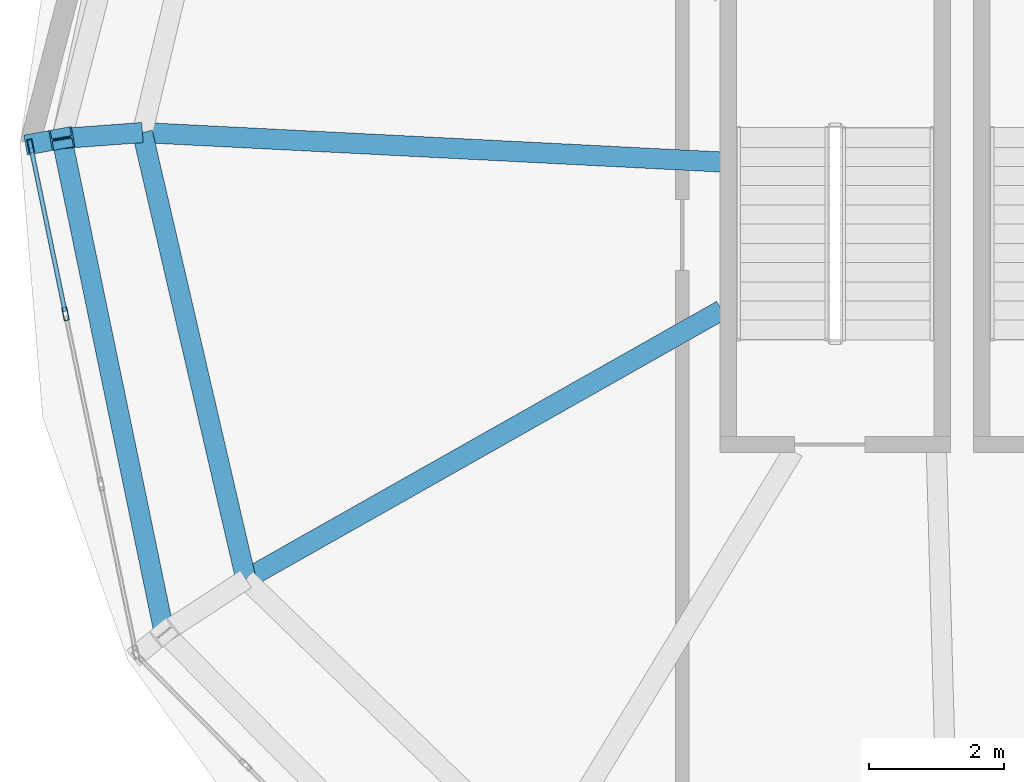
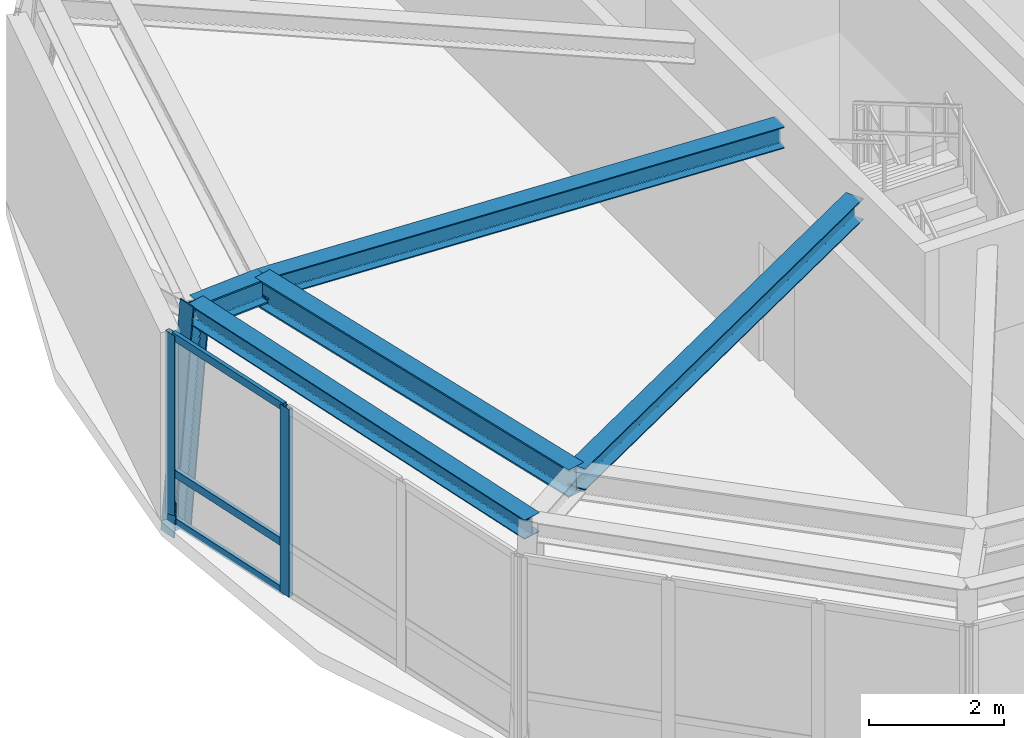
# One storey, part 3 of 11: 6 members, 5 beams, 1 element without a shape of its own.
"""IFC4 building model written with IfcOpenShell, lengths in metres."""

from ifc_helpers import new_model, si_unit, direction, frame, origin, origin_2d, place, context, subcontext, project, spatial, hollow_rectangle, i_section, extrude, material, layer, layer_set, material_profile, profile_set, type_object, element, aggregate, save


model = new_model("IFC4")

# Units and contexts
model_context = context("Model", 3, precision=1e-05, world=origin(), true_north=direction((0.0, 1.0)))
body_context = subcontext(model_context, "Body", "Model", "MODEL_VIEW")
ifc_project = project(units=[si_unit("LENGTHUNIT", "METRE"), si_unit("AREAUNIT", "SQUARE_METRE"), si_unit("VOLUMEUNIT", "CUBIC_METRE"), si_unit("PLANEANGLEUNIT", "RADIAN"), si_unit("MASSUNIT", "GRAM", prefix="KILO"), si_unit("THERMODYNAMICTEMPERATUREUNIT", "KELVIN"), si_unit("POWERUNIT", "WATT")], contexts=[model_context])

# Site, building, storey
site_placement = place(None, origin())
site = spatial("IfcSite", under=ifc_project, at=site_placement, CompositionType="ELEMENT")
building_placement = place(site_placement, origin())
building = spatial("IfcBuilding", under=site, at=building_placement, Name="Ocrelia Relay Tower", CompositionType="ELEMENT")
storey_placement = place(building_placement, frame((0.0, 0.0, 292.0)))
storey = spatial("IfcBuildingStorey", under=building, at=storey_placement, Name="L73", CompositionType="ELEMENT", Elevation=292.0)

# Beams
ifc_material_1 = material(Name="Steel S355", Category="steel")
ifc_material_profile_1 = material_profile(ifc_material_1, i_section(OverallWidth=0.300048828125, OverallDepth=0.35009765625, WebThickness=0.010009765625, FlangeThickness=0.017578125, FilletRadius=0.027099609375, at=origin_2d()), Name="HEA 360")
ifc_profile_set_1 = profile_set([ifc_material_profile_1], Name="Steel S355")
beam_type_1 = type_object("IfcBeamType", Name="BM-HEA360", PredefinedType="SPANDREL", material=ifc_profile_set_1)
beam_1_placement = place(storey_placement, frame((20.648681640625, 23.629638671875, 3.574951171875), z_axis=(0.202768506348, -0.97922670145, 0.0), x_axis=(0.97922670145, 0.202768506348, 0.0)))
element("IfcBeam", 1, at=beam_1_placement, inside=storey, type_object=beam_type_1, Name="L73 Crown Faceted Ring Beam R05", PredefinedType="SPANDREL", context=body_context, shape_type="SweptSolid", body=[
    extrude(i_section(OverallWidth=0.300048828125, OverallDepth=0.35009765625, WebThickness=0.010009765625, FlangeThickness=0.017578125, FilletRadius=0.027099609375, at=origin_2d()), origin(), (0.0, 0.0, 1.0), 7.483154296875),
])
ifc_material_profile_2 = material_profile(ifc_material_1, i_section(OverallWidth=0.300048828125, OverallDepth=0.389892578125, WebThickness=0.010986328125, FlangeThickness=0.01904296875, FilletRadius=0.027099609375, at=origin_2d()), Name="HEA 400")
ifc_profile_set_2 = profile_set([ifc_material_profile_2], Name="Steel S355")
beam_type_2 = type_object("IfcBeamType", Name="BM-HEA400", PredefinedType="SPANDREL", material=ifc_profile_set_2)
beam_2_placement = place(storey_placement, frame((21.84375, 23.71875, 3.554931640625), z_axis=(0.998707353059, -0.050829351217, 0.0), x_axis=(0.050829351217, 0.998707353059, 0.0)))
element("IfcBeam", 2, at=beam_2_placement, inside=storey, type_object=beam_type_2, Name="L73 Crown Radial Floor Beam 05", PredefinedType="SPANDREL", context=body_context, shape_type="SweptSolid", body=[
    extrude(i_section(OverallWidth=0.300048828125, OverallDepth=0.389892578125, WebThickness=0.010986328125, FlangeThickness=0.01904296875, FilletRadius=0.027099609375, at=origin_2d()), origin(), (0.0, 0.0, 1.0), 8.6025390625),
])
beam_3_placement = place(storey_placement, frame((23.37841796875, 17.094482421875, 3.554931640625), z_axis=(0.87049888689, 0.492170385053, 0.0), x_axis=(-0.492170385053, 0.87049888689, 0.0)))
element("IfcBeam", 3, at=beam_3_placement, inside=storey, type_object=beam_type_2, Name="L73 Crown Radial Floor Beam 06", PredefinedType="SPANDREL", context=body_context, shape_type="SweptSolid", body=[
    extrude(i_section(OverallWidth=0.300048828125, OverallDepth=0.389892578125, WebThickness=0.010986328125, FlangeThickness=0.01904296875, FilletRadius=0.027099609375, at=origin_2d()), origin(), (0.0, 0.0, 1.0), 8.1064453125),
])
ifc_material_profile_3 = material_profile(ifc_material_1, i_section(OverallWidth=0.300048828125, OverallDepth=0.449951171875, WebThickness=0.013916015625, FlangeThickness=0.02587890625, FilletRadius=0.027099609375, at=origin_2d()), Name="HEB 450")
ifc_profile_set_3 = profile_set([ifc_material_profile_3], Name="Steel S355")
beam_type_3 = type_object("IfcBeamType", Name="BM-HEB450", PredefinedType="BEAM", material=ifc_profile_set_3)
beam_4_placement = place(storey_placement, frame((20.648681640625, 23.629638671875, 3.52490234375), z_axis=(0.997231503946, 0.0743594482, 0.0), x_axis=(-0.0743594482, 0.997231503946, 0.0)))
element("IfcBeam", 4, at=beam_4_placement, inside=storey, type_object=beam_type_3, Name="L73 Crown Step Radial Beam ST05", PredefinedType="BEAM", context=body_context, shape_type="SweptSolid", body=[
    extrude(i_section(OverallWidth=0.300048828125, OverallDepth=0.449951171875, WebThickness=0.013916015625, FlangeThickness=0.02587890625, FilletRadius=0.027099609375, at=origin_2d()), origin(), (0.0, 0.0, 1.0), 1.198486328125),
])
ifc_material_profile_4 = material_profile(ifc_material_1, i_section(OverallWidth=0.300048828125, OverallDepth=0.5, WebThickness=0.014404296875, FlangeThickness=0.028076171875, FilletRadius=0.027099609375, at=origin_2d()), Name="HEB 500")
ifc_profile_set_4 = profile_set([ifc_material_profile_4], Name="Steel S355")
beam_type_4 = type_object("IfcBeamType", Name="BM-HEB500", PredefinedType="BEAM", material=ifc_profile_set_4)
beam_5_placement = place(storey_placement, frame((21.84375, 23.71875, 3.5), z_axis=(0.225695918865, -0.974197799324, 0.0), x_axis=(0.974197799324, 0.225695918865, 0.0)))
element("IfcBeam", 5, at=beam_5_placement, inside=storey, type_object=beam_type_4, Name="L73 Crown Step Perimeter Ring Beam SR05", PredefinedType="BEAM", context=body_context, shape_type="SweptSolid", body=[
    extrude(i_section(OverallWidth=0.300048828125, OverallDepth=0.5, WebThickness=0.014404296875, FlangeThickness=0.028076171875, FilletRadius=0.027099609375, at=origin_2d()), origin(), (0.0, 0.0, 1.0), 6.7998046875),
])

# Curtain wall, members
ifc_material_2 = material(Name="Aluminium and solar-control low-E glass", Category="aluminium")
ifc_layer = layer(ifc_material_2, 0.179931640625, Name="Aluminium and solar-control low-E glass")
ifc_layer_set = layer_set([ifc_layer], Name="Aluminium and solar-control low-E glass")
curtain_wall_type = type_object("IfcCurtainWallType", Name="CW-SYS-CROWN-PT", PredefinedType="NOTDEFINED", material=ifc_layer_set)
curtain_wall_placement = place(storey_placement, origin())
curtain_wall = element("IfcCurtainWall", 6, at=curtain_wall_placement, inside=storey, type_object=curtain_wall_type, Name="L73 Faceted Glass-Point Crown Curtain Wall 05", PredefinedType="NOTDEFINED")
ifc_material_3 = material(Name="Anodised bronze aluminium", Category="aluminium")
ifc_material_profile_5 = material_profile(ifc_material_3, hollow_rectangle(XDim=0.074951171875, YDim=0.199951171875, WallThickness=0.006103515625, at=origin_2d()), Name="CW-MUL-200x75")
ifc_profile_set_5 = profile_set([ifc_material_profile_5], Name="Anodised bronze aluminium")
member_type_1 = type_object("IfcMemberType", Name="CW-SYS-CROWN-PT-MUL", PredefinedType="MULLION", material=ifc_profile_set_5)
member_1_placement = place(storey_placement, frame((20.18505859375, 23.51953125, 0.0), z_axis=(0.0, 0.0, 1.0), x_axis=(0.979083868397, 0.203457068306, 0.0)))
member_1 = element("IfcMember", 7, at=member_1_placement, type_object=member_type_1, Name="CW-CR mullion 1", PredefinedType="MULLION", context=body_context, shape_type="SweptSolid", body=[
    extrude(hollow_rectangle(XDim=0.074951171875, YDim=0.199951171875, WallThickness=0.006103515625, at=origin_2d()), origin(), (0.0, 0.0, 1.0), 3.389892578125),
])
member_2_placement = place(storey_placement, frame((20.70263671875, 21.029052734375, 0.0), z_axis=(0.0, 0.0, 1.0), x_axis=(0.979083868397, 0.203457068306, 0.0)))
member_2 = element("IfcMember", 8, at=member_2_placement, type_object=member_type_1, Name="CW-CR mullion 2", PredefinedType="MULLION", context=body_context, shape_type="SweptSolid", body=[
    extrude(hollow_rectangle(XDim=0.074951171875, YDim=0.199951171875, WallThickness=0.006103515625, at=origin_2d()), origin(), (0.0, 0.0, 1.0), 3.389892578125),
])
ifc_material_profile_6 = material_profile(ifc_material_3, hollow_rectangle(XDim=0.06494140625, YDim=0.139892578125, WallThickness=0.0048828125, at=origin_2d()), Name="CW-TRN-140x65")
ifc_profile_set_6 = profile_set([ifc_material_profile_6], Name="Anodised bronze aluminium")
member_type_2 = type_object("IfcMemberType", Name="CW-SYS-CROWN-PT-TRN", PredefinedType="USERDEFINED", material=ifc_profile_set_6)
member_3_placement = place(storey_placement, frame((20.19287109375, 23.482666015625, 0.032470703125), z_axis=(0.203452613544, -0.979084794102, 0.0), x_axis=(0.979084794102, 0.203452613544, 0.0)))
member_3 = element("IfcMember", 9, at=member_3_placement, type_object=member_type_2, Name="CW-CR transom 1.1", ObjectType="TRANSOM", PredefinedType="USERDEFINED", context=body_context, shape_type="SweptSolid", body=[
    extrude(hollow_rectangle(XDim=0.06494140625, YDim=0.139892578125, WallThickness=0.0048828125, at=origin_2d()), origin(), (0.0, 0.0, 1.0), 2.46826171875),
])
member_4_placement = place(storey_placement, frame((20.19287109375, 23.482666015625, 0.89990234375), z_axis=(0.203452613544, -0.979084794102, 0.0), x_axis=(0.979084794102, 0.203452613544, 0.0)))
member_4 = element("IfcMember", 10, at=member_4_placement, type_object=member_type_2, Name="CW-CR transom 1.2", ObjectType="TRANSOM", PredefinedType="USERDEFINED", context=body_context, shape_type="SweptSolid", body=[
    extrude(hollow_rectangle(XDim=0.06494140625, YDim=0.139892578125, WallThickness=0.0048828125, at=origin_2d()), origin(), (0.0, 0.0, 1.0), 2.46826171875),
])
member_5_placement = place(storey_placement, frame((20.19287109375, 23.482666015625, 3.357421875), z_axis=(0.203452613544, -0.979084794102, 0.0), x_axis=(0.979084794102, 0.203452613544, 0.0)))
member_5 = element("IfcMember", 11, at=member_5_placement, type_object=member_type_2, Name="CW-CR transom 1.3", ObjectType="TRANSOM", PredefinedType="USERDEFINED", context=body_context, shape_type="SweptSolid", body=[
    extrude(hollow_rectangle(XDim=0.06494140625, YDim=0.139892578125, WallThickness=0.0048828125, at=origin_2d()), origin(), (0.0, 0.0, 1.0), 2.46826171875),
])
aggregate(curtain_wall, [member_1, member_2, member_3, member_4, member_5])

# Member
ifc_material_profile_7 = material_profile(ifc_material_1, i_section(OverallWidth=0.300048828125, OverallDepth=0.340087890625, WebThickness=0.011962890625, FlangeThickness=0.021484375, FilletRadius=0.027099609375, at=origin_2d()), Name="HEB 340")
ifc_profile_set_7 = profile_set([ifc_material_profile_7], Name="Steel S355")
member_type_3 = type_object("IfcMemberType", Name="MB-CROWN-RIB", PredefinedType="STRUT", material=ifc_profile_set_7)
member_6_placement = place(storey_placement, frame((20.27734375, 23.5625, -0.25), z_axis=(0.092424098122, 0.01671047139, 0.995579502718), x_axis=(-0.177917480548, 0.984045410596, 0.0)))
element("IfcMember", 12, at=member_6_placement, inside=storey, type_object=member_type_3, Name="L73 Crown Faceted Structural Strut Rib CR05", PredefinedType="STRUT", context=body_context, shape_type="SweptSolid", body=[
    extrude(i_section(OverallWidth=0.300048828125, OverallDepth=0.340087890625, WebThickness=0.011962890625, FlangeThickness=0.021484375, FilletRadius=0.027099609375, at=origin_2d()), origin(), (0.0, 0.0, 1.0), 4.017822265625),
])

save(model, "model.ifc")
